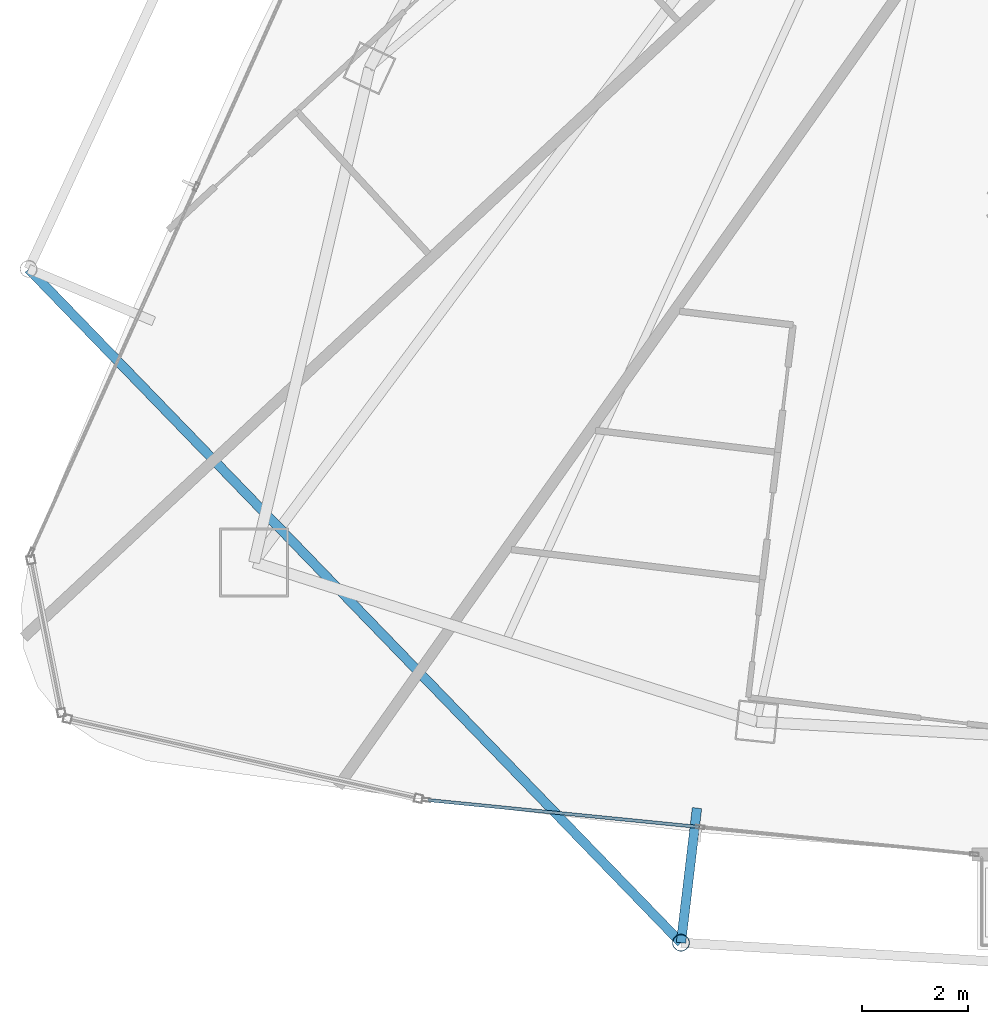
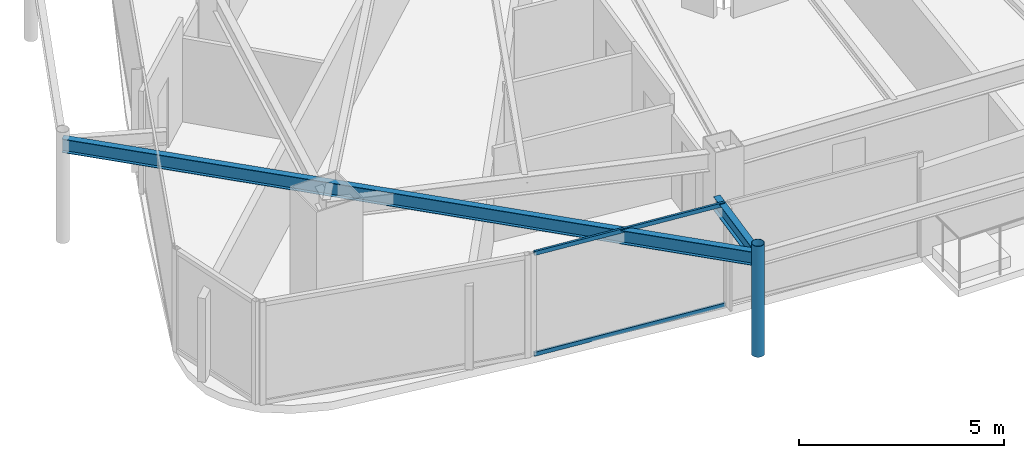
# One storey, part 3 of 32: 3 members, 2 beams, 1 element without a shape of its own.
"""IFC4 building model written with IfcOpenShell, lengths in metres."""

from ifc_helpers import new_model, si_unit, direction, frame, origin, origin_2d, place, context, subcontext, project, spatial, hollow_rectangle, hollow_circle, i_section, extrude, material, layer, layer_set, material_profile, profile_set, type_object, element, aggregate, save


model = new_model("IFC4")

# Units and contexts
model_context = context("Model", 3, precision=1e-05, world=origin(), true_north=direction((0.0, 1.0)))
body_context = subcontext(model_context, "Body", "Model", "MODEL_VIEW")
ifc_project = project(units=[si_unit("LENGTHUNIT", "METRE"), si_unit("AREAUNIT", "SQUARE_METRE"), si_unit("VOLUMEUNIT", "CUBIC_METRE"), si_unit("PLANEANGLEUNIT", "RADIAN"), si_unit("MASSUNIT", "GRAM", prefix="KILO")], contexts=[model_context])

# Site, building, storey
site_placement = place(None, origin())
site = spatial("IfcSite", under=ifc_project, at=site_placement, CompositionType="ELEMENT")
building_placement = place(site_placement, origin())
building = spatial("IfcBuilding", under=site, at=building_placement, Name="Orvanel Arch Residences", CompositionType="ELEMENT")
storey_placement = place(building_placement, frame((0.0, 0.0, 219.5)))
storey = spatial("IfcBuildingStorey", under=building, at=storey_placement, Name="L62", CompositionType="ELEMENT", Elevation=219.5)

# Beams
ifc_material_1 = material(Name="Structural steel AS/NZS 3679.1 Grade 300 (300 MPa)", Category="steel")
ifc_material_profile_1 = material_profile(ifc_material_1, i_section(OverallWidth=0.177978515625, OverallDepth=0.406005859375, WebThickness=0.0078125, FlangeThickness=0.0126953125, at=origin_2d()), Name="410UB59.7")
ifc_profile_set_1 = profile_set([ifc_material_profile_1], Name="Structural steel AS/NZS 3679.1 Grade 300 (300 MPa)")
beam_type = type_object("IfcBeamType", Name="OB-410UB-EXT", PredefinedType="SPANDREL", material=ifc_profile_set_1)
beam_1_placement = place(storey_placement, frame((9.9609375, 15.867919921875, 2.85693359375), z_axis=(0.695589803041, -0.718439159502, 0.0), x_axis=(0.718439159502, 0.695589803041, 0.0)))
element("IfcBeam", 1, at=beam_1_placement, inside=storey, type_object=beam_type, Name="L62 Outer Perimeter Floor Ring Beam 04", PredefinedType="SPANDREL", context=body_context, shape_type="SweptSolid", body=[
    extrude(i_section(OverallWidth=0.177978515625, OverallDepth=0.406005859375, WebThickness=0.0078125, FlangeThickness=0.0126953125, at=origin_2d()), origin(), (0.0, 0.0, 1.0), 17.6298828125),
])
beam_2_placement = place(storey_placement, frame((22.52490234375, 5.73388671875, 2.85693359375), z_axis=(-0.117963370057, -0.993017947131, 0.0), x_axis=(0.993017947131, -0.117963370057, 0.0)))
element("IfcBeam", 2, at=beam_2_placement, inside=storey, type_object=beam_type, Name="L62 Outer Frame Radial Tie Beam 05", PredefinedType="SPANDREL", context=body_context, shape_type="SweptSolid", body=[
    extrude(i_section(OverallWidth=0.177978515625, OverallDepth=0.406005859375, WebThickness=0.0078125, FlangeThickness=0.0126953125, at=origin_2d()), origin(), (0.0, 0.0, 1.0), 2.5498046875),
])

# Member
ifc_material_2 = material(Name="Structural steel AS/NZS 1163 C350L0 (Grade 350)", Category="steel")
ifc_material_profile_2 = material_profile(ifc_material_2, hollow_circle(Radius=0.162109375, WallThickness=0.0126953125, at=origin_2d()), Name="CHS324x12.7")
ifc_profile_set_2 = profile_set([ifc_material_profile_2], Name="Structural steel AS/NZS 1163 C350L0 (Grade 350)")
member_type_1 = type_object("IfcMemberType", Name="ST-324CHS-EXT", PredefinedType="STRUT", material=ifc_profile_set_2)
member_1_placement = place(storey_placement, frame((22.22412109375, 3.201904296875, 0.0), z_axis=(0.0, 0.0, 1.0), x_axis=(1.0, 0.0, 0.0)))
element("IfcMember", 3, at=member_1_placement, inside=storey, type_object=member_type_1, Name="L62 Outer Perimeter Frame Post 05", PredefinedType="STRUT", context=body_context, shape_type="SweptSolid", body=[
    extrude(hollow_circle(Radius=0.162109375, WallThickness=0.0126953125, at=origin_2d()), origin(), (0.0, 0.0, 1.0), 3.300048828125),
])

# Curtain wall, members
ifc_material_3 = material(Name="Bronze-anodised aluminium AA6063-T6", Category="aluminium")
ifc_layer = layer(ifc_material_3, 0.175048828125)
ifc_layer_set = layer_set([ifc_layer], Name="Bronze-anodised aluminium AA6063-T6")
curtain_wall_type = type_object("IfcCurtainWallType", Name="CW4-HI-SYS", PredefinedType="NOTDEFINED", material=ifc_layer_set)
curtain_wall_placement = place(storey_placement, origin())
curtain_wall = element("IfcCurtainWall", 4, at=curtain_wall_placement, inside=storey, type_object=curtain_wall_type, Name="L62 CW4-HI-SYS Unitised Curtain Wall", PredefinedType="NOTDEFINED")
ifc_material_profile_3 = material_profile(ifc_material_3, hollow_rectangle(XDim=0.06005859375, YDim=0.1201171875, WallThickness=0.00341796875, at=origin_2d()), Name="ALU120x60x3.5")
ifc_profile_set_3 = profile_set([ifc_material_profile_3], Name="Bronze-anodised aluminium AA6063-T6")
member_type_2 = type_object("IfcMemberType", Name="TRN-120x60", PredefinedType="USERDEFINED", material=ifc_profile_set_3)
member_2_placement = place(storey_placement, frame((17.46875, 5.884521484375, 0.030029296875), z_axis=(0.995103157741, -0.098841820371, 0.0), x_axis=(0.098841820371, 0.995103157741, 0.0)))
member_2 = element("IfcMember", 5, at=member_2_placement, type_object=member_type_2, Name="CW-S4 transom 1.1", ObjectType="TRANSOM", PredefinedType="USERDEFINED", context=body_context, shape_type="SweptSolid", body=[
    extrude(hollow_rectangle(XDim=0.06005859375, YDim=0.1201171875, WallThickness=0.00341796875, at=origin_2d()), origin(), (0.0, 0.0, 1.0), 5.113037109375),
])
member_3_placement = place(storey_placement, frame((17.46875, 5.884521484375, 3.030029296875), z_axis=(0.995103157741, -0.098841820371, 0.0), x_axis=(0.098841820371, 0.995103157741, 0.0)))
member_3 = element("IfcMember", 6, at=member_3_placement, type_object=member_type_2, Name="CW-S4 transom 1.2", ObjectType="TRANSOM", PredefinedType="USERDEFINED", context=body_context, shape_type="SweptSolid", body=[
    extrude(hollow_rectangle(XDim=0.06005859375, YDim=0.1201171875, WallThickness=0.00341796875, at=origin_2d()), origin(), (0.0, 0.0, 1.0), 5.113037109375),
])
aggregate(curtain_wall, [member_2, member_3])

save(model, "model.ifc")
